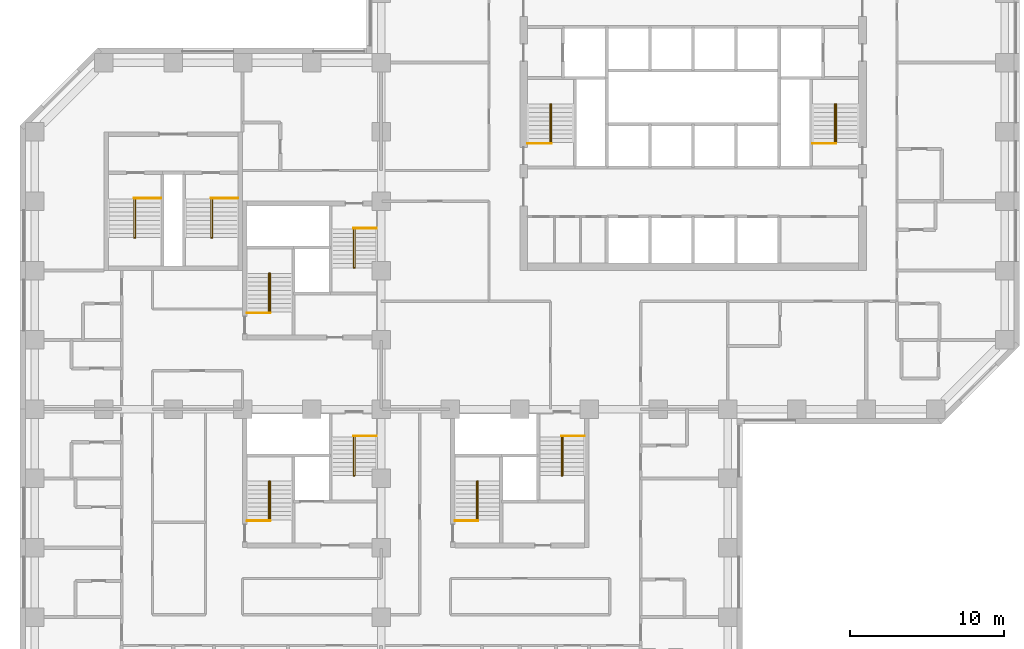
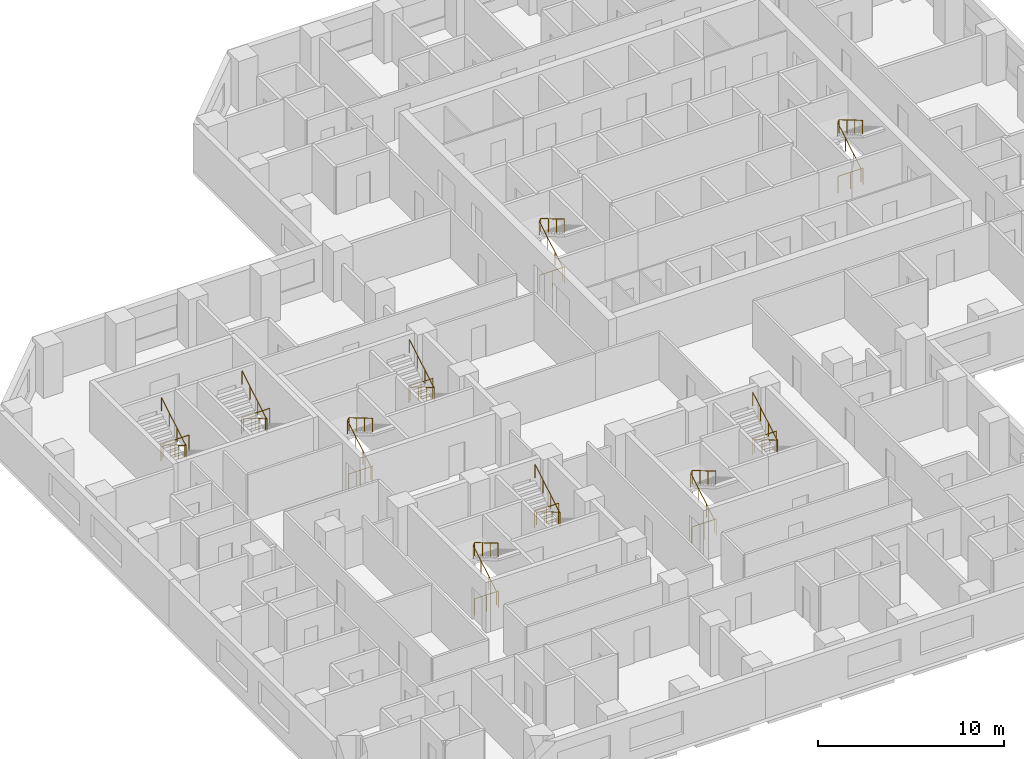
# One storey, part 12 of 12: 20 railings.
"""IFC4 building model written with IfcOpenShell, lengths in metres."""

from ifc_helpers import new_model, si_unit, direction, frame, origin, origin_2d, place, context, subcontext, project, spatial, circle, extrude, material, type_object, element, save


model = new_model("IFC4")

# Units and contexts
model_context = context("Model", 3, precision=1e-05, world=origin(), true_north=direction((0.0, 1.0)))
body_context = subcontext(model_context, "Body", "Model", "MODEL_VIEW")
ifc_project = project(units=[si_unit("LENGTHUNIT", "METRE"), si_unit("AREAUNIT", "SQUARE_METRE"), si_unit("VOLUMEUNIT", "CUBIC_METRE"), si_unit("PLANEANGLEUNIT", "RADIAN"), si_unit("MASSUNIT", "GRAM", prefix="KILO")], contexts=[model_context])

# Site, building, storey
site_placement = place(None, origin())
site = spatial("IfcSite", under=ifc_project, at=site_placement, CompositionType="ELEMENT")
building_placement = place(site_placement, origin())
building = spatial("IfcBuilding", under=site, at=building_placement, Name="Quoin Convention Tower", CompositionType="ELEMENT")
storey_placement = place(building_placement, frame((0.0, 0.0, 33.0)))
storey = spatial("IfcBuildingStorey", under=building, at=storey_placement, Name="L07", CompositionType="ELEMENT", Elevation=33.0)

# Railings
ifc_material = material(Name="Stainless steel", Category="steel")
railing_type_1 = type_object("IfcRailingType", Name="Stair handrail 900", PredefinedType="HANDRAIL", material=ifc_material)
for number, where, name in (
    (1, (46.955078125, 57.800048828125, 0.1650390625), "SD1 handrail 1"),
    (2, (65.455078125, 57.800048828125, 0.1650390625), "SD2 handrail 1"),
    (3, (28.705078125, 46.800048828125, 0.1650390625), "SD3 handrail 1"),
):
    element("IfcRailing", number, at=place(storey_placement, frame(where)), inside=storey, type_object=railing_type_1, Name=name, PredefinedType="HANDRAIL", context=body_context, shape_type="SweptSolid", body=[
        extrude(circle(Radius=0.02392578125, at=origin_2d()), frame((0.0, 0.0, 0.8759765625), z_axis=(0.0, 0.861560626758, 0.507654692109), x_axis=(-1.0, 0.0, 0.0)), (0.0, 0.0, 1.0), 2.925048828125),
        extrude(circle(Radius=0.02392578125, at=origin_2d()), frame((0.0, 2.52001953125, 2.36083984375), z_axis=(0.478123724308, 0.0, 0.878292493566), x_axis=(0.0, 1.0, 0.0)), (0.0, 0.0, 1.0), 0.18798828125),
        extrude(circle(Radius=0.02392578125, at=origin_2d()), frame((0.08984375, 2.52001953125, 2.52587890625), z_axis=(0.0, -0.86152411907, 0.507716645641), x_axis=(1.0, 0.0, 0.0)), (0.0, 0.0, 1.0), 2.925048828125),
        extrude(circle(Radius=0.02099609375, at=origin_2d()), origin(), (0.0, 0.0, 1.0), 0.851806640625),
        extrude(circle(Radius=0.02099609375, at=origin_2d()), frame((0.0, 0.840087890625, 0.494873046875)), (0.0, 0.0, 1.0), 0.851806640625),
        extrude(circle(Radius=0.02099609375, at=origin_2d()), frame((0.0, 1.679931640625, 0.989990234375)), (0.0, 0.0, 1.0), 0.851806640625),
        extrude(circle(Radius=0.02099609375, at=origin_2d()), frame((0.0, 2.52001953125, 1.48486328125)), (0.0, 0.0, 1.0), 0.851806640625),
        extrude(circle(Radius=0.02099609375, at=origin_2d()), frame((0.08984375, 2.52001953125, 1.64990234375)), (0.0, 0.0, 1.0), 0.851806640625),
        extrude(circle(Radius=0.02099609375, at=origin_2d()), frame((0.08984375, 1.679931640625, 2.14501953125)), (0.0, 0.0, 1.0), 0.851806640625),
        extrude(circle(Radius=0.02099609375, at=origin_2d()), frame((0.08984375, 0.840087890625, 2.639892578125)), (0.0, 0.0, 1.0), 0.851806640625),
        extrude(circle(Radius=0.02099609375, at=origin_2d()), frame((0.08984375, 0.0, 3.135009765625)), (0.0, 0.0, 1.0), 0.851806640625),
    ])
railing_1_placement = place(storey_placement, frame((34.294921875, 52.199951171875, 0.1650390625)))
element("IfcRailing", 4, at=railing_1_placement, inside=storey, type_object=railing_type_1, Name="SD4 handrail 1", PredefinedType="HANDRAIL", context=body_context, shape_type="SweptSolid", body=[
    extrude(circle(Radius=0.02392578125, at=origin_2d()), frame((0.0, 0.0, 0.8759765625), z_axis=(0.0, -0.861560626758, 0.507654692109), x_axis=(1.0, 0.0, 0.0)), (0.0, 0.0, 1.0), 2.925048828125),
    extrude(circle(Radius=0.02392578125, at=origin_2d()), frame((0.0, -2.52001953125, 2.36083984375), z_axis=(-0.478123724308, 0.0, 0.878292493566), x_axis=(0.0, -1.0, 0.0)), (0.0, 0.0, 1.0), 0.18798828125),
    extrude(circle(Radius=0.02392578125, at=origin_2d()), frame((-0.08984375, -2.52001953125, 2.52587890625), z_axis=(0.0, 0.86152411907, 0.507716645641), x_axis=(-1.0, 0.0, 0.0)), (0.0, 0.0, 1.0), 2.925048828125),
    extrude(circle(Radius=0.02099609375, at=origin_2d()), origin(), (0.0, 0.0, 1.0), 0.851806640625),
    extrude(circle(Radius=0.02099609375, at=origin_2d()), frame((0.0, -0.840087890625, 0.494873046875)), (0.0, 0.0, 1.0), 0.851806640625),
    extrude(circle(Radius=0.02099609375, at=origin_2d()), frame((0.0, -1.679931640625, 0.989990234375)), (0.0, 0.0, 1.0), 0.851806640625),
    extrude(circle(Radius=0.02099609375, at=origin_2d()), frame((0.0, -2.52001953125, 1.48486328125)), (0.0, 0.0, 1.0), 0.851806640625),
    extrude(circle(Radius=0.02099609375, at=origin_2d()), frame((-0.08984375, -2.52001953125, 1.64990234375)), (0.0, 0.0, 1.0), 0.851806640625),
    extrude(circle(Radius=0.02099609375, at=origin_2d()), frame((-0.08984375, -1.679931640625, 2.14501953125)), (0.0, 0.0, 1.0), 0.851806640625),
    extrude(circle(Radius=0.02099609375, at=origin_2d()), frame((-0.08984375, -0.840087890625, 2.639892578125)), (0.0, 0.0, 1.0), 0.851806640625),
    extrude(circle(Radius=0.02099609375, at=origin_2d()), frame((-0.08984375, 0.0, 3.135009765625)), (0.0, 0.0, 1.0), 0.851806640625),
])
railing_2_placement = place(storey_placement, frame((42.205078125, 33.300048828125, 0.1650390625)))
element("IfcRailing", 5, at=railing_2_placement, inside=storey, type_object=railing_type_1, Name="SD5 handrail 1", PredefinedType="HANDRAIL", context=body_context, shape_type="SweptSolid", body=[
    extrude(circle(Radius=0.02392578125, at=origin_2d()), frame((0.0, 0.0, 0.8759765625), z_axis=(0.0, 0.861560626758, 0.507654692109), x_axis=(-1.0, 0.0, 0.0)), (0.0, 0.0, 1.0), 2.925048828125),
    extrude(circle(Radius=0.02392578125, at=origin_2d()), frame((0.0, 2.52001953125, 2.36083984375), z_axis=(0.478123724308, 0.0, 0.878292493566), x_axis=(0.0, 1.0, 0.0)), (0.0, 0.0, 1.0), 0.18798828125),
    extrude(circle(Radius=0.02392578125, at=origin_2d()), frame((0.08984375, 2.52001953125, 2.52587890625), z_axis=(0.0, -0.86152411907, 0.507716645641), x_axis=(1.0, 0.0, 0.0)), (0.0, 0.0, 1.0), 2.925048828125),
    extrude(circle(Radius=0.02099609375, at=origin_2d()), origin(), (0.0, 0.0, 1.0), 0.851806640625),
    extrude(circle(Radius=0.02099609375, at=origin_2d()), frame((0.0, 0.840087890625, 0.494873046875)), (0.0, 0.0, 1.0), 0.851806640625),
    extrude(circle(Radius=0.02099609375, at=origin_2d()), frame((0.0, 1.679931640625, 0.989990234375)), (0.0, 0.0, 1.0), 0.851806640625),
    extrude(circle(Radius=0.02099609375, at=origin_2d()), frame((0.0, 2.52001953125, 1.48486328125)), (0.0, 0.0, 1.0), 0.851806640625),
    extrude(circle(Radius=0.02099609375, at=origin_2d()), frame((0.08984375, 2.52001953125, 1.64990234375)), (0.0, 0.0, 1.0), 0.851806640625),
    extrude(circle(Radius=0.02099609375, at=origin_2d()), frame((0.08984375, 1.679931640625, 2.14501953125)), (0.0, 0.0, 1.0), 0.851806640625),
    extrude(circle(Radius=0.02099609375, at=origin_2d()), frame((0.08984375, 0.840087890625, 2.639892578125)), (0.0, 0.0, 1.0), 0.851806640625),
    extrude(circle(Radius=0.02099609375, at=origin_2d()), frame((0.08984375, 0.0, 3.135009765625)), (0.0, 0.0, 1.0), 0.851806640625),
])
railing_3_placement = place(storey_placement, frame((47.794921875, 38.699951171875, 0.1650390625)))
element("IfcRailing", 6, at=railing_3_placement, inside=storey, type_object=railing_type_1, Name="SD6 handrail 1", PredefinedType="HANDRAIL", context=body_context, shape_type="SweptSolid", body=[
    extrude(circle(Radius=0.02392578125, at=origin_2d()), frame((0.0, 0.0, 0.8759765625), z_axis=(0.0, -0.861560626758, 0.507654692109), x_axis=(1.0, 0.0, 0.0)), (0.0, 0.0, 1.0), 2.925048828125),
    extrude(circle(Radius=0.02392578125, at=origin_2d()), frame((0.0, -2.52001953125, 2.36083984375), z_axis=(-0.478123724308, 0.0, 0.878292493566), x_axis=(0.0, -1.0, 0.0)), (0.0, 0.0, 1.0), 0.18798828125),
    extrude(circle(Radius=0.02392578125, at=origin_2d()), frame((-0.08984375, -2.52001953125, 2.52587890625), z_axis=(0.0, 0.86152411907, 0.507716645641), x_axis=(-1.0, 0.0, 0.0)), (0.0, 0.0, 1.0), 2.925048828125),
    extrude(circle(Radius=0.02099609375, at=origin_2d()), origin(), (0.0, 0.0, 1.0), 0.851806640625),
    extrude(circle(Radius=0.02099609375, at=origin_2d()), frame((0.0, -0.840087890625, 0.494873046875)), (0.0, 0.0, 1.0), 0.851806640625),
    extrude(circle(Radius=0.02099609375, at=origin_2d()), frame((0.0, -1.679931640625, 0.989990234375)), (0.0, 0.0, 1.0), 0.851806640625),
    extrude(circle(Radius=0.02099609375, at=origin_2d()), frame((0.0, -2.52001953125, 1.48486328125)), (0.0, 0.0, 1.0), 0.851806640625),
    extrude(circle(Radius=0.02099609375, at=origin_2d()), frame((-0.08984375, -2.52001953125, 1.64990234375)), (0.0, 0.0, 1.0), 0.851806640625),
    extrude(circle(Radius=0.02099609375, at=origin_2d()), frame((-0.08984375, -1.679931640625, 2.14501953125)), (0.0, 0.0, 1.0), 0.851806640625),
    extrude(circle(Radius=0.02099609375, at=origin_2d()), frame((-0.08984375, -0.840087890625, 2.639892578125)), (0.0, 0.0, 1.0), 0.851806640625),
    extrude(circle(Radius=0.02099609375, at=origin_2d()), frame((-0.08984375, 0.0, 3.135009765625)), (0.0, 0.0, 1.0), 0.851806640625),
])
railing_4_placement = place(storey_placement, frame((28.705078125, 33.300048828125, 0.1650390625)))
element("IfcRailing", 7, at=railing_4_placement, inside=storey, type_object=railing_type_1, Name="SD7 handrail 1", PredefinedType="HANDRAIL", context=body_context, shape_type="SweptSolid", body=[
    extrude(circle(Radius=0.02392578125, at=origin_2d()), frame((0.0, 0.0, 0.8759765625), z_axis=(0.0, 0.861560626758, 0.507654692109), x_axis=(-1.0, 0.0, 0.0)), (0.0, 0.0, 1.0), 2.925048828125),
    extrude(circle(Radius=0.02392578125, at=origin_2d()), frame((0.0, 2.52001953125, 2.36083984375), z_axis=(0.478123724308, 0.0, 0.878292493566), x_axis=(0.0, 1.0, 0.0)), (0.0, 0.0, 1.0), 0.18798828125),
    extrude(circle(Radius=0.02392578125, at=origin_2d()), frame((0.08984375, 2.52001953125, 2.52587890625), z_axis=(0.0, -0.86152411907, 0.507716645641), x_axis=(1.0, 0.0, 0.0)), (0.0, 0.0, 1.0), 2.925048828125),
    extrude(circle(Radius=0.02099609375, at=origin_2d()), origin(), (0.0, 0.0, 1.0), 0.851806640625),
    extrude(circle(Radius=0.02099609375, at=origin_2d()), frame((0.0, 0.840087890625, 0.494873046875)), (0.0, 0.0, 1.0), 0.851806640625),
    extrude(circle(Radius=0.02099609375, at=origin_2d()), frame((0.0, 1.679931640625, 0.989990234375)), (0.0, 0.0, 1.0), 0.851806640625),
    extrude(circle(Radius=0.02099609375, at=origin_2d()), frame((0.0, 2.52001953125, 1.48486328125)), (0.0, 0.0, 1.0), 0.851806640625),
    extrude(circle(Radius=0.02099609375, at=origin_2d()), frame((0.08984375, 2.52001953125, 1.64990234375)), (0.0, 0.0, 1.0), 0.851806640625),
    extrude(circle(Radius=0.02099609375, at=origin_2d()), frame((0.08984375, 1.679931640625, 2.14501953125)), (0.0, 0.0, 1.0), 0.851806640625),
    extrude(circle(Radius=0.02099609375, at=origin_2d()), frame((0.08984375, 0.840087890625, 2.639892578125)), (0.0, 0.0, 1.0), 0.851806640625),
    extrude(circle(Radius=0.02099609375, at=origin_2d()), frame((0.08984375, 0.0, 3.135009765625)), (0.0, 0.0, 1.0), 0.851806640625),
])
for number, where, name in (
    (8, (34.294921875, 38.699951171875, 0.1650390625), "SD8 handrail 1"),
    (9, (20.044921875, 54.14990234375, 0.1650390625), "SD11 handrail 1"),
    (10, (25.044921875, 54.14990234375, 0.1650390625), "SD12 handrail 1"),
):
    element("IfcRailing", number, at=place(storey_placement, frame(where)), inside=storey, type_object=railing_type_1, Name=name, PredefinedType="HANDRAIL", context=body_context, shape_type="SweptSolid", body=[
        extrude(circle(Radius=0.02392578125, at=origin_2d()), frame((0.0, 0.0, 0.8759765625), z_axis=(0.0, -0.861560626758, 0.507654692109), x_axis=(1.0, 0.0, 0.0)), (0.0, 0.0, 1.0), 2.925048828125),
        extrude(circle(Radius=0.02392578125, at=origin_2d()), frame((0.0, -2.52001953125, 2.36083984375), z_axis=(-0.478123724308, 0.0, 0.878292493566), x_axis=(0.0, -1.0, 0.0)), (0.0, 0.0, 1.0), 0.18798828125),
        extrude(circle(Radius=0.02392578125, at=origin_2d()), frame((-0.08984375, -2.52001953125, 2.52587890625), z_axis=(0.0, 0.86152411907, 0.507716645641), x_axis=(-1.0, 0.0, 0.0)), (0.0, 0.0, 1.0), 2.925048828125),
        extrude(circle(Radius=0.02099609375, at=origin_2d()), origin(), (0.0, 0.0, 1.0), 0.851806640625),
        extrude(circle(Radius=0.02099609375, at=origin_2d()), frame((0.0, -0.840087890625, 0.494873046875)), (0.0, 0.0, 1.0), 0.851806640625),
        extrude(circle(Radius=0.02099609375, at=origin_2d()), frame((0.0, -1.679931640625, 0.989990234375)), (0.0, 0.0, 1.0), 0.851806640625),
        extrude(circle(Radius=0.02099609375, at=origin_2d()), frame((0.0, -2.52001953125, 1.48486328125)), (0.0, 0.0, 1.0), 0.851806640625),
        extrude(circle(Radius=0.02099609375, at=origin_2d()), frame((-0.08984375, -2.52001953125, 1.64990234375)), (0.0, 0.0, 1.0), 0.851806640625),
        extrude(circle(Radius=0.02099609375, at=origin_2d()), frame((-0.08984375, -1.679931640625, 2.14501953125)), (0.0, 0.0, 1.0), 0.851806640625),
        extrude(circle(Radius=0.02099609375, at=origin_2d()), frame((-0.08984375, -0.840087890625, 2.639892578125)), (0.0, 0.0, 1.0), 0.851806640625),
        extrude(circle(Radius=0.02099609375, at=origin_2d()), frame((-0.08984375, 0.0, 3.135009765625)), (0.0, 0.0, 1.0), 0.851806640625),
    ])
railing_type_2 = type_object("IfcRailingType", Name="Stair top guard 1100", PredefinedType="GUARDRAIL", material=ifc_material)
for number, where, name in (
    (11, (45.5, 57.75, 0.0), "SD1 top guard"),
    (12, (64.0, 57.75, 0.0), "SD2 top guard"),
):
    element("IfcRailing", number, at=place(storey_placement, frame(where)), inside=storey, type_object=railing_type_2, Name=name, PredefinedType="GUARDRAIL", context=body_context, shape_type="SweptSolid", body=[
        extrude(circle(Radius=0.02392578125, at=origin_2d()), frame((0.0, 0.0, 1.076171875), z_axis=(1.0, 0.0, 0.0), x_axis=(0.0, 1.0, 0.0)), (0.0, 0.0, 1.0), 1.544921875),
        extrude(circle(Radius=0.02099609375, at=origin_2d()), origin(), (0.0, 0.0, 1.0), 1.052001953125),
        extrude(circle(Radius=0.02099609375, at=origin_2d()), frame((0.7724609375, 0.0, 0.0)), (0.0, 0.0, 1.0), 1.052001953125),
        extrude(circle(Radius=0.02099609375, at=origin_2d()), frame((1.544921875, 0.0, 0.0)), (0.0, 0.0, 1.0), 1.052001953125),
    ])
railing_5_placement = place(storey_placement, frame((27.300048828125, 46.75, 0.0)))
element("IfcRailing", 13, at=railing_5_placement, inside=storey, type_object=railing_type_2, Name="SD3 top guard", PredefinedType="GUARDRAIL", context=body_context, shape_type="SweptSolid", body=[
    extrude(circle(Radius=0.02392578125, at=origin_2d()), frame((0.0, 0.0, 1.076171875), z_axis=(1.0, 0.0, 0.0), x_axis=(0.0, 1.0, 0.0)), (0.0, 0.0, 1.0), 1.494873046875),
    extrude(circle(Radius=0.02099609375, at=origin_2d()), origin(), (0.0, 0.0, 1.0), 1.052001953125),
    extrude(circle(Radius=0.02099609375, at=origin_2d()), frame((0.74755859375, 0.0, 0.0)), (0.0, 0.0, 1.0), 1.052001953125),
    extrude(circle(Radius=0.02099609375, at=origin_2d()), frame((1.494873046875, 0.0, 0.0)), (0.0, 0.0, 1.0), 1.052001953125),
])
railing_6_placement = place(storey_placement, frame((35.699951171875, 52.25, 0.0)))
element("IfcRailing", 14, at=railing_6_placement, inside=storey, type_object=railing_type_2, Name="SD4 top guard", PredefinedType="GUARDRAIL", context=body_context, shape_type="SweptSolid", body=[
    extrude(circle(Radius=0.02392578125, at=origin_2d()), frame((0.0, 0.0, 1.076171875), z_axis=(-1.0, 0.0, 0.0), x_axis=(0.0, -1.0, 0.0)), (0.0, 0.0, 1.0), 1.494873046875),
    extrude(circle(Radius=0.02099609375, at=origin_2d()), origin(), (0.0, 0.0, 1.0), 1.052001953125),
    extrude(circle(Radius=0.02099609375, at=origin_2d()), frame((-0.74755859375, 0.0, 0.0)), (0.0, 0.0, 1.0), 1.052001953125),
    extrude(circle(Radius=0.02099609375, at=origin_2d()), frame((-1.494873046875, 0.0, 0.0)), (0.0, 0.0, 1.0), 1.052001953125),
])
railing_7_placement = place(storey_placement, frame((40.800048828125, 33.25, 0.0)))
element("IfcRailing", 15, at=railing_7_placement, inside=storey, type_object=railing_type_2, Name="SD5 top guard", PredefinedType="GUARDRAIL", context=body_context, shape_type="SweptSolid", body=[
    extrude(circle(Radius=0.02392578125, at=origin_2d()), frame((0.0, 0.0, 1.076171875), z_axis=(1.0, 0.0, 0.0), x_axis=(0.0, 1.0, 0.0)), (0.0, 0.0, 1.0), 1.494873046875),
    extrude(circle(Radius=0.02099609375, at=origin_2d()), origin(), (0.0, 0.0, 1.0), 1.052001953125),
    extrude(circle(Radius=0.02099609375, at=origin_2d()), frame((0.74755859375, 0.0, 0.0)), (0.0, 0.0, 1.0), 1.052001953125),
    extrude(circle(Radius=0.02099609375, at=origin_2d()), frame((1.494873046875, 0.0, 0.0)), (0.0, 0.0, 1.0), 1.052001953125),
])
railing_8_placement = place(storey_placement, frame((49.199951171875, 38.75, 0.0)))
element("IfcRailing", 16, at=railing_8_placement, inside=storey, type_object=railing_type_2, Name="SD6 top guard", PredefinedType="GUARDRAIL", context=body_context, shape_type="SweptSolid", body=[
    extrude(circle(Radius=0.02392578125, at=origin_2d()), frame((0.0, 0.0, 1.076171875), z_axis=(-1.0, 0.0, 0.0), x_axis=(0.0, -1.0, 0.0)), (0.0, 0.0, 1.0), 1.494873046875),
    extrude(circle(Radius=0.02099609375, at=origin_2d()), origin(), (0.0, 0.0, 1.0), 1.052001953125),
    extrude(circle(Radius=0.02099609375, at=origin_2d()), frame((-0.74755859375, 0.0, 0.0)), (0.0, 0.0, 1.0), 1.052001953125),
    extrude(circle(Radius=0.02099609375, at=origin_2d()), frame((-1.494873046875, 0.0, 0.0)), (0.0, 0.0, 1.0), 1.052001953125),
])
railing_9_placement = place(storey_placement, frame((27.300048828125, 33.25, 0.0)))
element("IfcRailing", 17, at=railing_9_placement, inside=storey, type_object=railing_type_2, Name="SD7 top guard", PredefinedType="GUARDRAIL", context=body_context, shape_type="SweptSolid", body=[
    extrude(circle(Radius=0.02392578125, at=origin_2d()), frame((0.0, 0.0, 1.076171875), z_axis=(1.0, 0.0, 0.0), x_axis=(0.0, 1.0, 0.0)), (0.0, 0.0, 1.0), 1.494873046875),
    extrude(circle(Radius=0.02099609375, at=origin_2d()), origin(), (0.0, 0.0, 1.0), 1.052001953125),
    extrude(circle(Radius=0.02099609375, at=origin_2d()), frame((0.74755859375, 0.0, 0.0)), (0.0, 0.0, 1.0), 1.052001953125),
    extrude(circle(Radius=0.02099609375, at=origin_2d()), frame((1.494873046875, 0.0, 0.0)), (0.0, 0.0, 1.0), 1.052001953125),
])
railing_10_placement = place(storey_placement, frame((35.699951171875, 38.75, 0.0)))
element("IfcRailing", 18, at=railing_10_placement, inside=storey, type_object=railing_type_2, Name="SD8 top guard", PredefinedType="GUARDRAIL", context=body_context, shape_type="SweptSolid", body=[
    extrude(circle(Radius=0.02392578125, at=origin_2d()), frame((0.0, 0.0, 1.076171875), z_axis=(-1.0, 0.0, 0.0), x_axis=(0.0, -1.0, 0.0)), (0.0, 0.0, 1.0), 1.494873046875),
    extrude(circle(Radius=0.02099609375, at=origin_2d()), origin(), (0.0, 0.0, 1.0), 1.052001953125),
    extrude(circle(Radius=0.02099609375, at=origin_2d()), frame((-0.74755859375, 0.0, 0.0)), (0.0, 0.0, 1.0), 1.052001953125),
    extrude(circle(Radius=0.02099609375, at=origin_2d()), frame((-1.494873046875, 0.0, 0.0)), (0.0, 0.0, 1.0), 1.052001953125),
])
for number, where, name in (
    (19, (21.699951171875, 54.199951171875, 0.0), "SD11 top guard"),
    (20, (26.699951171875, 54.199951171875, 0.0), "SD12 top guard"),
):
    element("IfcRailing", number, at=place(storey_placement, frame(where)), inside=storey, type_object=railing_type_2, Name=name, PredefinedType="GUARDRAIL", context=body_context, shape_type="SweptSolid", body=[
        extrude(circle(Radius=0.02392578125, at=origin_2d()), frame((0.0, 0.0, 1.076171875), z_axis=(-1.0, 0.0, 0.0), x_axis=(0.0, -1.0, 0.0)), (0.0, 0.0, 1.0), 1.744873046875),
        extrude(circle(Radius=0.02099609375, at=origin_2d()), origin(), (0.0, 0.0, 1.0), 1.052001953125),
        extrude(circle(Radius=0.02099609375, at=origin_2d()), frame((-0.87255859375, 0.0, 0.0)), (0.0, 0.0, 1.0), 1.052001953125),
        extrude(circle(Radius=0.02099609375, at=origin_2d()), frame((-1.744873046875, 0.0, 0.0)), (0.0, 0.0, 1.0), 1.052001953125),
    ])

save(model, "model.ifc")
